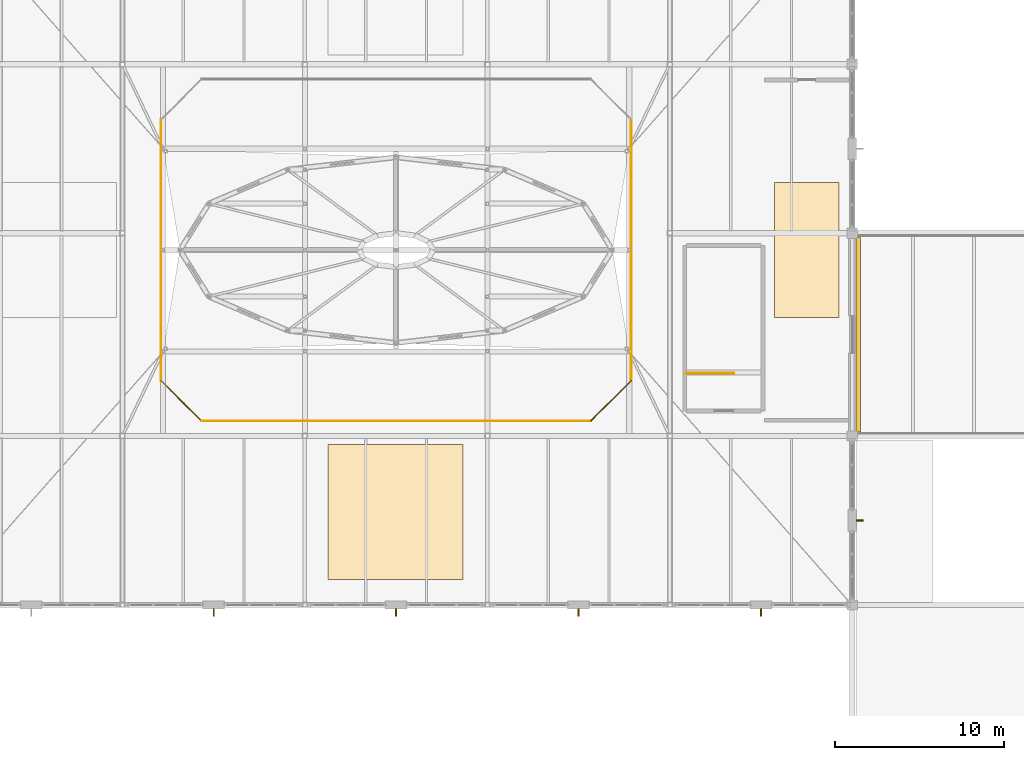
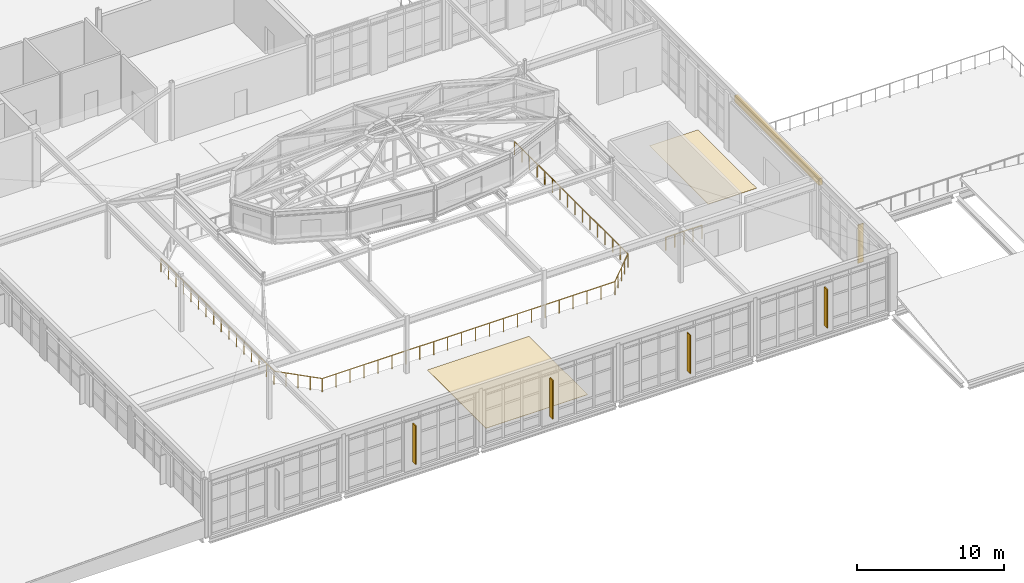
# One storey, part 81 of 86: 6 railings, 5 shading devices, 3 coverings.
"""IFC4 building model written with IfcOpenShell, lengths in metres."""

import ifcopenshell
import ifcopenshell.guid

model = None  # the IFC model being written
_history = None  # IfcOwnerHistory: only IFC2X3 demands one
_inside = {}  # id of a spatial element -> (the spatial element, [elements in it])
_under = {}  # id of a project, library or spatial element -> (it, [spatial elements below it])
_declared = {}  # id of a project -> (the project, [libraries it declares])
_typed = {}  # id of a type object -> (the type object, [elements of that type])
_made_of = {}  # id of a material, layer set ... -> (it, [elements and type objects made of it])


def new_model(schema):
    """Start an empty IFC model of exactly this schema.

    Asked for "IFC4X3", IfcOpenShell would pick the latest addendum, in which some entities
    have other attributes; the version numbers below select the first issue.
    IFC2X3 requires an IfcOwnerHistory on every rooted entity: one is made here for all.
    """
    global model, _history
    if schema == "IFC4X3":
        model = ifcopenshell.file(schema_version=(4, 3, 0, 0))
    else:
        model = ifcopenshell.file(schema=schema)
    _inside.clear()
    _under.clear()
    _declared.clear()
    _typed.clear()
    _made_of.clear()
    _history = None
    if model.schema == "IFC2X3":
        org = make("IfcOrganization", Name="unknown")
        user = make(
            "IfcPersonAndOrganization",
            ThePerson=make("IfcPerson", FamilyName="unknown"),
            TheOrganization=org,
        )
        app = make(
            "IfcApplication",
            ApplicationDeveloper=org,
            Version="unknown",
            ApplicationFullName="unknown",
            ApplicationIdentifier="unknown",
        )
        _history = make(
            "IfcOwnerHistory",
            OwningUser=user,
            OwningApplication=app,
            ChangeAction="ADDED",
            CreationDate=0,
        )
    return model


def make(cls, **values):
    """One entity of the class cls with the attributes given. An attribute that is None is left unset."""
    return model.create_entity(
        cls, **{name: value for name, value in values.items() if value is not None}
    )


def rooted(cls, **values):
    """An entity with a GlobalId (a new one), such as an element, a storey or a relation."""
    return make(cls, GlobalId=ifcopenshell.guid.new(), OwnerHistory=_history, **values)


def si_unit(unit_type, name, prefix=None):
    """IfcSIUnit, for example si_unit("LENGTHUNIT", "METRE", prefix="MILLI")."""
    return make("IfcSIUnit", UnitType=unit_type, Prefix=prefix, Name=name)


def assignment(units):
    """IfcUnitAssignment: the units of a project."""
    return None if units is None else make("IfcUnitAssignment", Units=units)


def point(xyz):
    """IfcCartesianPoint."""
    return None if xyz is None else make("IfcCartesianPoint", Coordinates=xyz)


def direction(xyz):
    """IfcDirection."""
    return None if xyz is None else make("IfcDirection", DirectionRatios=xyz)


def frame(location, z_axis=None, x_axis=None):
    """IfcAxis2Placement3D, a coordinate frame: its origin and axes. An axis left out is left unset."""
    return make(
        "IfcAxis2Placement3D",
        Location=point(location),
        Axis=direction(z_axis),
        RefDirection=direction(x_axis),
    )


def frame_2d(location, x_axis=None):
    """IfcAxis2Placement2D, a coordinate frame in the plane: its origin and x axis."""
    return make(
        "IfcAxis2Placement2D", Location=point(location), RefDirection=direction(x_axis)
    )


def origin():
    """The frame at (0, 0, 0) with its axes left unset."""
    return frame((0.0, 0.0, 0.0))


def origin_2d():
    """The frame at (0, 0) in the plane with its x axis left unset."""
    return frame_2d((0.0, 0.0))


def place(relative_to, where):
    """IfcLocalPlacement: puts the frame where relative to a parent placement (None: the world)."""
    return make(
        "IfcLocalPlacement", PlacementRelTo=relative_to, RelativePlacement=where
    )


def context(
    kind, dimensions, precision=None, world=None, true_north=None, identifier=None
):
    """IfcGeometricRepresentationContext, for example the 3D "Model" context."""
    return make(
        "IfcGeometricRepresentationContext",
        ContextIdentifier=identifier,
        ContextType=kind,
        CoordinateSpaceDimension=dimensions,
        Precision=precision,
        WorldCoordinateSystem=world,
        TrueNorth=true_north,
    )


def subcontext(parent, identifier, kind, view, scale=None):
    """IfcGeometricRepresentationSubContext, for example "Body" below "Model"."""
    return make(
        "IfcGeometricRepresentationSubContext",
        ContextIdentifier=identifier,
        ContextType=kind,
        ParentContext=parent,
        TargetScale=scale,
        TargetView=view,
    )


def project(units=None, contexts=None):
    """IfcProject with its units and contexts."""
    return rooted(
        "IfcProject",
        Name="project",
        RepresentationContexts=contexts,
        UnitsInContext=assignment(units),
    )


def spatial(cls, under=None, at=None, **own):
    """A site, building, storey or space (cls), placed at a placement, below another one or the project."""
    s = rooted(cls, ObjectPlacement=at, **own)
    if under is not None:
        _under.setdefault(under.id(), (under, []))[1].append(s)
    return s


def profile(cls, at=None, kind="AREA", **sizes):
    """A parametric profile (cls). Its sizes go by their IFC names, for example OverallWidth=200.0."""
    return make(cls, ProfileType=kind, Position=at, **sizes)


def rectangle(**sizes):
    """IfcRectangleProfileDef."""
    return profile("IfcRectangleProfileDef", **sizes)


def circle(**sizes):
    """IfcCircleProfileDef."""
    return profile("IfcCircleProfileDef", **sizes)


def extrude(swept, where, along, depth):
    """IfcExtrudedAreaSolid: the profile swept, set in the frame where, extruded along a direction by depth."""
    return make(
        "IfcExtrudedAreaSolid",
        SweptArea=swept,
        Position=where,
        ExtrudedDirection=direction(along),
        Depth=depth,
    )


def shape(context_of_items, identifier, shape_type, items):
    """IfcShapeRepresentation: the items that make up one representation, for example the "Body"."""
    return make(
        "IfcShapeRepresentation",
        ContextOfItems=context_of_items,
        RepresentationIdentifier=identifier,
        RepresentationType=shape_type,
        Items=items,
    )


def material(Name=None, Category=None):
    """IfcMaterial."""
    return make("IfcMaterial", Name=Name, Category=Category)


def layer(
    of_material, thickness, ventilated=None, Name=None, Category=None, Priority=None
):
    """IfcMaterialLayer: one layer of a wall or slab, of a material (None: an air gap)."""
    return make(
        "IfcMaterialLayer",
        Material=of_material,
        LayerThickness=thickness,
        IsVentilated=ventilated,
        Name=Name,
        Category=Category,
        Priority=Priority,
    )


def layer_set(layers, Name=None):
    """IfcMaterialLayerSet."""
    return make("IfcMaterialLayerSet", MaterialLayers=layers, LayerSetName=Name)


def made_of(thing, what):
    """Note that an element or type object is made of a material, layer set ...; save() writes the relation."""
    if what is not None:
        _made_of.setdefault(what.id(), (what, []))[1].append(thing)
    return thing


def type_object(cls, material=None, **own):
    """A type object (cls), such as IfcWallType, which elements share."""
    return made_of(rooted(cls, **own), material)


def element(
    cls,
    number,
    at=None,
    inside=None,
    cuts=None,
    type_object=None,
    material=None,
    context=None,
    identifier="Body",
    shape_type=None,
    held_by="IfcProductDefinitionShape",
    body=None,
    shapes=None,
    **own,
):
    """One element of the class cls, such as IfcWall. Its Tag is "e" and its number.

    at: its placement. inside: the storey or other place that contains it. cuts: it is an
    opening in that element (IfcRelVoidsElement). A single representation is given by context,
    identifier, shape_type and body (its items); several are given by shapes. held_by: the class
    of the entity that holds the representations. save() writes the other relations.
    """
    e = rooted(cls, Tag="e%d" % number, ObjectPlacement=at, **own)
    if body is not None:
        shapes = [shape(context, identifier, shape_type, body)]
    if shapes is not None:
        e.Representation = make(held_by, Representations=shapes)
    if inside is not None:
        _inside.setdefault(inside.id(), (inside, []))[1].append(e)
    if cuts is not None:
        rooted(
            "IfcRelVoidsElement", RelatingBuildingElement=cuts, RelatedOpeningElement=e
        )
    if type_object is not None:
        _typed.setdefault(type_object.id(), (type_object, []))[1].append(e)
    return made_of(e, material)


def aggregate(whole, parts):
    """IfcRelAggregates: a whole, such as a stair, and the parts it consists of."""
    return rooted("IfcRelAggregates", RelatingObject=whole, RelatedObjects=parts)


def save(model, path):
    """Write the relations noted so far, then the file.

    IfcRelAggregates (storeys below a building ...), IfcRelContainedInSpatialStructure (elements
    in a storey), IfcRelDefinesByType, IfcRelAssociatesMaterial and IfcRelDeclares: one each for
    every whole, place, type object, material and project.
    """
    for whole, parts in _under.values():
        aggregate(whole, parts)
    for where, things in _inside.values():
        rooted(
            "IfcRelContainedInSpatialStructure",
            RelatedElements=things,
            RelatingStructure=where,
        )
    for kind, things in _typed.values():
        rooted("IfcRelDefinesByType", RelatedObjects=things, RelatingType=kind)
    for what, things in _made_of.values():
        rooted("IfcRelAssociatesMaterial", RelatedObjects=things, RelatingMaterial=what)
    for by, libraries in _declared.values():
        rooted("IfcRelDeclares", RelatingContext=by, RelatedDefinitions=libraries)
    model.write(path)


model = new_model("IFC4")

# Units and contexts
model_context = context("Model", 3, precision=1e-05, world=origin(), true_north=direction((0.0, 1.0)))
body_context = subcontext(model_context, "Body", "Model", "MODEL_VIEW")
ifc_project = project(units=[si_unit("LENGTHUNIT", "METRE"), si_unit("AREAUNIT", "SQUARE_METRE"), si_unit("VOLUMEUNIT", "CUBIC_METRE"), si_unit("PLANEANGLEUNIT", "RADIAN"), si_unit("MASSUNIT", "GRAM", prefix="KILO")], contexts=[model_context])

# Site, building, storey
site_placement = place(None, origin())
site = spatial("IfcSite", under=ifc_project, at=site_placement, CompositionType="ELEMENT")
building_placement = place(site_placement, origin())
building = spatial("IfcBuilding", under=site, at=building_placement, Name="Tasgan Crest Museum", CompositionType="ELEMENT")
storey_placement = place(building_placement, frame((0.0, 0.0, 24.0)))
storey = spatial("IfcBuildingStorey", under=building, at=storey_placement, Name="L04", CompositionType="ELEMENT", Elevation=24.0)

# Coverings
ifc_material_1 = material(Name="Polished Granite Terrazzo", Category="masonry")
ifc_layer_1 = layer(ifc_material_1, 0.030029296875, Name="COV-FLOOR-TERRAZZO")
ifc_layer_set_1 = layer_set([ifc_layer_1], Name="Polished Granite Terrazzo")
covering_type_1 = type_object("IfcCoveringType", Name="COV-FLOOR-TERRAZZO", PredefinedType="FLOORING", material=ifc_layer_set_1)
covering_1_placement = place(storey_placement, frame((80.9599609375, 45.5, 0.0), z_axis=(0.0, 0.0, 1.0), x_axis=(1.0, 0.0, 0.0)))
element("IfcCovering", 1, at=covering_1_placement, inside=storey, type_object=covering_type_1, Name="Lantern South Panorama Concourse floor finish", PredefinedType="FLOORING", context=body_context, shape_type="SweptSolid", body=[
    extrude(rectangle(XDim=8.0, YDim=8.0, at=origin_2d()), origin(), (0.0, 0.0, 1.0), 0.030029296875),
])
covering_2_placement = place(storey_placement, frame((105.300048828125, 61.0, 0.0), z_axis=(0.0, 0.0, 1.0), x_axis=(1.0, 0.0, 0.0)))
element("IfcCovering", 2, at=covering_2_placement, inside=storey, type_object=covering_type_1, Name="East Steppe Terrace Pavilion floor finish", PredefinedType="FLOORING", context=body_context, shape_type="SweptSolid", body=[
    extrude(rectangle(XDim=3.800048828125, YDim=8.0, at=origin_2d()), origin(), (0.0, 0.0, 1.0), 0.030029296875),
])
ifc_material_2 = material(Name="Honed Buff Limestone", Category="masonry")
ifc_layer_2 = layer(ifc_material_2, 0.044921875, Name="COV-LIMESTONE-BUFF")
ifc_layer_set_2 = layer_set([ifc_layer_2], Name="Honed Buff Limestone")
covering_type_2 = type_object("IfcCoveringType", Name="COV-LIMESTONE-BUFF", PredefinedType="CLADDING", material=ifc_layer_set_2)
covering_3_placement = place(storey_placement, frame((108.35009765625, 56.0, 3.9599609375), z_axis=(0.0, 0.0, 1.0), x_axis=(0.0, 1.0, 0.0)))
element("IfcCovering", 3, at=covering_3_placement, inside=storey, type_object=covering_type_2, Name="Stone frieze cladding L04", PredefinedType="CLADDING", context=body_context, shape_type="SweptSolid", body=[
    extrude(rectangle(XDim=11.510009765625, YDim=0.280029296875, at=origin_2d()), origin(), (0.0, 0.0, 1.0), 0.550048828125),
])

# Railings
ifc_material_3 = material(Name="Brushed Bronze and Toughened Glass", Category="glass")
railing_type = type_object("IfcRailingType", Name="RL-INT-GUARD-1120", PredefinedType="GUARDRAIL", material=ifc_material_3)
railing_1_placement = place(storey_placement, frame((98.159912109375, 53.719970703125, 0.0)))
element("IfcRailing", 4, at=railing_1_placement, inside=storey, type_object=railing_type, Name="ATRIUM top arrival guard L04", PredefinedType="GUARDRAIL", context=body_context, shape_type="SweptSolid", body=[
    extrude(circle(Radius=0.02392578125, at=origin_2d()), frame((0.0, 0.0, 1.09619140625), z_axis=(1.0, 0.0, 0.0), x_axis=(0.0, 1.0, 0.0)), (0.0, 0.0, 1.0), 2.840087890625),
    extrude(circle(Radius=0.02099609375, at=origin_2d()), origin(), (0.0, 0.0, 1.0), 1.072021484375),
    extrude(circle(Radius=0.02099609375, at=origin_2d()), frame((0.7099609375, 0.0, 0.0)), (0.0, 0.0, 1.0), 1.072021484375),
    extrude(circle(Radius=0.02099609375, at=origin_2d()), frame((1.419921875, 0.0, 0.0)), (0.0, 0.0, 1.0), 1.072021484375),
    extrude(circle(Radius=0.02099609375, at=origin_2d()), frame((2.130126953125, 0.0, 0.0)), (0.0, 0.0, 1.0), 1.072021484375),
    extrude(circle(Radius=0.02099609375, at=origin_2d()), frame((2.840087890625, 0.0, 0.0)), (0.0, 0.0, 1.0), 1.072021484375),
])
railing_2_placement = place(storey_placement, frame((69.47998046875, 50.8798828125, 0.0)))
element("IfcRailing", 5, at=railing_2_placement, inside=storey, type_object=railing_type, Name="Atrium void guard L04 0", PredefinedType="GUARDRAIL", context=body_context, shape_type="SweptSolid", body=[
    extrude(circle(Radius=0.02392578125, at=origin_2d()), frame((0.0, 0.0, 1.09619140625), z_axis=(1.0, 0.0, 0.0), x_axis=(0.0, 1.0, 0.0)), (0.0, 0.0, 1.0), 23.0400390625),
    extrude(circle(Radius=0.02099609375, at=origin_2d()), origin(), (0.0, 0.0, 1.0), 1.072021484375),
    extrude(circle(Radius=0.02099609375, at=origin_2d()), frame((1.09716796875, 0.0, 0.0)), (0.0, 0.0, 1.0), 1.072021484375),
    extrude(circle(Radius=0.02099609375, at=origin_2d()), frame((2.1943359375, 0.0, 0.0)), (0.0, 0.0, 1.0), 1.072021484375),
    extrude(circle(Radius=0.02099609375, at=origin_2d()), frame((3.29150390625, 0.0, 0.0)), (0.0, 0.0, 1.0), 1.072021484375),
    extrude(circle(Radius=0.02099609375, at=origin_2d()), frame((4.388671875, 0.0, 0.0)), (0.0, 0.0, 1.0), 1.072021484375),
    extrude(circle(Radius=0.02099609375, at=origin_2d()), frame((5.48583984375, 0.0, 0.0)), (0.0, 0.0, 1.0), 1.072021484375),
    extrude(circle(Radius=0.02099609375, at=origin_2d()), frame((6.582763671875, 0.0, 0.0)), (0.0, 0.0, 1.0), 1.072021484375),
    extrude(circle(Radius=0.02099609375, at=origin_2d()), frame((7.679931640625, 0.0, 0.0)), (0.0, 0.0, 1.0), 1.072021484375),
    extrude(circle(Radius=0.02099609375, at=origin_2d()), frame((8.777099609375, 0.0, 0.0)), (0.0, 0.0, 1.0), 1.072021484375),
    extrude(circle(Radius=0.02099609375, at=origin_2d()), frame((9.874267578125, 0.0, 0.0)), (0.0, 0.0, 1.0), 1.072021484375),
    extrude(circle(Radius=0.02099609375, at=origin_2d()), frame((10.971435546875, 0.0, 0.0)), (0.0, 0.0, 1.0), 1.072021484375),
    extrude(circle(Radius=0.02099609375, at=origin_2d()), frame((12.068603515625, 0.0, 0.0)), (0.0, 0.0, 1.0), 1.072021484375),
    extrude(circle(Radius=0.02099609375, at=origin_2d()), frame((13.165771484375, 0.0, 0.0)), (0.0, 0.0, 1.0), 1.072021484375),
    extrude(circle(Radius=0.02099609375, at=origin_2d()), frame((14.262939453125, 0.0, 0.0)), (0.0, 0.0, 1.0), 1.072021484375),
    extrude(circle(Radius=0.02099609375, at=origin_2d()), frame((15.360107421875, 0.0, 0.0)), (0.0, 0.0, 1.0), 1.072021484375),
    extrude(circle(Radius=0.02099609375, at=origin_2d()), frame((16.457275390625, 0.0, 0.0)), (0.0, 0.0, 1.0), 1.072021484375),
    extrude(circle(Radius=0.02099609375, at=origin_2d()), frame((17.55419921875, 0.0, 0.0)), (0.0, 0.0, 1.0), 1.072021484375),
    extrude(circle(Radius=0.02099609375, at=origin_2d()), frame((18.6513671875, 0.0, 0.0)), (0.0, 0.0, 1.0), 1.072021484375),
    extrude(circle(Radius=0.02099609375, at=origin_2d()), frame((19.74853515625, 0.0, 0.0)), (0.0, 0.0, 1.0), 1.072021484375),
    extrude(circle(Radius=0.02099609375, at=origin_2d()), frame((20.845703125, 0.0, 0.0)), (0.0, 0.0, 1.0), 1.072021484375),
    extrude(circle(Radius=0.02099609375, at=origin_2d()), frame((21.94287109375, 0.0, 0.0)), (0.0, 0.0, 1.0), 1.072021484375),
    extrude(circle(Radius=0.02099609375, at=origin_2d()), frame((23.0400390625, 0.0, 0.0)), (0.0, 0.0, 1.0), 1.072021484375),
])
railing_3_placement = place(storey_placement, frame((92.52001953125, 50.8798828125, 0.0)))
element("IfcRailing", 6, at=railing_3_placement, inside=storey, type_object=railing_type, Name="Atrium void guard L04 1", PredefinedType="GUARDRAIL", context=body_context, shape_type="SweptSolid", body=[
    extrude(circle(Radius=0.02392578125, at=origin_2d()), frame((0.0, 0.0, 1.09619140625), z_axis=(0.707070815327, 0.707142745217, 0.0), x_axis=(-0.707142745217, 0.707070815327, 0.0)), (0.0, 0.0, 1.0), 3.39404296875),
    extrude(circle(Radius=0.02099609375, at=origin_2d()), origin(), (0.0, 0.0, 1.0), 1.072021484375),
    extrude(circle(Radius=0.02099609375, at=origin_2d()), frame((0.60009765625, 0.60009765625, 0.0)), (0.0, 0.0, 1.0), 1.072021484375),
    extrude(circle(Radius=0.02099609375, at=origin_2d()), frame((1.199951171875, 1.2001953125, 0.0)), (0.0, 0.0, 1.0), 1.072021484375),
    extrude(circle(Radius=0.02099609375, at=origin_2d()), frame((1.7998046875, 1.800048828125, 0.0)), (0.0, 0.0, 1.0), 1.072021484375),
    extrude(circle(Radius=0.02099609375, at=origin_2d()), frame((2.39990234375, 2.400146484375, 0.0)), (0.0, 0.0, 1.0), 1.072021484375),
])
railing_4_placement = place(storey_placement, frame((94.919921875, 53.280029296875, 0.0)))
element("IfcRailing", 7, at=railing_4_placement, inside=storey, type_object=railing_type, Name="Atrium void guard L04 2", PredefinedType="GUARDRAIL", context=body_context, shape_type="SweptSolid", body=[
    extrude(circle(Radius=0.02392578125, at=origin_2d()), frame((0.0, 0.0, 1.09619140625), z_axis=(0.0, 1.0, 0.0), x_axis=(-1.0, 0.0, 0.0)), (0.0, 0.0, 1.0), 15.43994140625),
    extrude(circle(Radius=0.02099609375, at=origin_2d()), origin(), (0.0, 0.0, 1.0), 1.072021484375),
    extrude(circle(Radius=0.02099609375, at=origin_2d()), frame((0.0, 1.029296875, 0.0)), (0.0, 0.0, 1.0), 1.072021484375),
    extrude(circle(Radius=0.02099609375, at=origin_2d()), frame((0.0, 2.05859375, 0.0)), (0.0, 0.0, 1.0), 1.072021484375),
    extrude(circle(Radius=0.02099609375, at=origin_2d()), frame((0.0, 3.087890625, 0.0)), (0.0, 0.0, 1.0), 1.072021484375),
    extrude(circle(Radius=0.02099609375, at=origin_2d()), frame((0.0, 4.117431640625, 0.0)), (0.0, 0.0, 1.0), 1.072021484375),
    extrude(circle(Radius=0.02099609375, at=origin_2d()), frame((0.0, 5.146728515625, 0.0)), (0.0, 0.0, 1.0), 1.072021484375),
    extrude(circle(Radius=0.02099609375, at=origin_2d()), frame((0.0, 6.176025390625, 0.0)), (0.0, 0.0, 1.0), 1.072021484375),
    extrude(circle(Radius=0.02099609375, at=origin_2d()), frame((0.0, 7.205322265625, 0.0)), (0.0, 0.0, 1.0), 1.072021484375),
    extrude(circle(Radius=0.02099609375, at=origin_2d()), frame((0.0, 8.234619140625, 0.0)), (0.0, 0.0, 1.0), 1.072021484375),
    extrude(circle(Radius=0.02099609375, at=origin_2d()), frame((0.0, 9.263916015625, 0.0)), (0.0, 0.0, 1.0), 1.072021484375),
    extrude(circle(Radius=0.02099609375, at=origin_2d()), frame((0.0, 10.293212890625, 0.0)), (0.0, 0.0, 1.0), 1.072021484375),
    extrude(circle(Radius=0.02099609375, at=origin_2d()), frame((0.0, 11.322509765625, 0.0)), (0.0, 0.0, 1.0), 1.072021484375),
    extrude(circle(Radius=0.02099609375, at=origin_2d()), frame((0.0, 12.35205078125, 0.0)), (0.0, 0.0, 1.0), 1.072021484375),
    extrude(circle(Radius=0.02099609375, at=origin_2d()), frame((0.0, 13.38134765625, 0.0)), (0.0, 0.0, 1.0), 1.072021484375),
    extrude(circle(Radius=0.02099609375, at=origin_2d()), frame((0.0, 14.41064453125, 0.0)), (0.0, 0.0, 1.0), 1.072021484375),
    extrude(circle(Radius=0.02099609375, at=origin_2d()), frame((0.0, 15.43994140625, 0.0)), (0.0, 0.0, 1.0), 1.072021484375),
])
railing_5_placement = place(storey_placement, frame((67.080078125, 68.719970703125, 0.0)))
element("IfcRailing", 8, at=railing_5_placement, inside=storey, type_object=railing_type, Name="Atrium void guard L04 6", PredefinedType="GUARDRAIL", context=body_context, shape_type="SweptSolid", body=[
    extrude(circle(Radius=0.02392578125, at=origin_2d()), frame((0.0, 0.0, 1.09619140625), z_axis=(0.0, -1.0, 0.0), x_axis=(1.0, 0.0, 0.0)), (0.0, 0.0, 1.0), 15.43994140625),
    extrude(circle(Radius=0.02099609375, at=origin_2d()), origin(), (0.0, 0.0, 1.0), 1.072021484375),
    extrude(circle(Radius=0.02099609375, at=origin_2d()), frame((0.0, -1.029296875, 0.0)), (0.0, 0.0, 1.0), 1.072021484375),
    extrude(circle(Radius=0.02099609375, at=origin_2d()), frame((0.0, -2.05859375, 0.0)), (0.0, 0.0, 1.0), 1.072021484375),
    extrude(circle(Radius=0.02099609375, at=origin_2d()), frame((0.0, -3.087890625, 0.0)), (0.0, 0.0, 1.0), 1.072021484375),
    extrude(circle(Radius=0.02099609375, at=origin_2d()), frame((0.0, -4.117431640625, 0.0)), (0.0, 0.0, 1.0), 1.072021484375),
    extrude(circle(Radius=0.02099609375, at=origin_2d()), frame((0.0, -5.146728515625, 0.0)), (0.0, 0.0, 1.0), 1.072021484375),
    extrude(circle(Radius=0.02099609375, at=origin_2d()), frame((0.0, -6.176025390625, 0.0)), (0.0, 0.0, 1.0), 1.072021484375),
    extrude(circle(Radius=0.02099609375, at=origin_2d()), frame((0.0, -7.205322265625, 0.0)), (0.0, 0.0, 1.0), 1.072021484375),
    extrude(circle(Radius=0.02099609375, at=origin_2d()), frame((0.0, -8.234619140625, 0.0)), (0.0, 0.0, 1.0), 1.072021484375),
    extrude(circle(Radius=0.02099609375, at=origin_2d()), frame((0.0, -9.263916015625, 0.0)), (0.0, 0.0, 1.0), 1.072021484375),
    extrude(circle(Radius=0.02099609375, at=origin_2d()), frame((0.0, -10.293212890625, 0.0)), (0.0, 0.0, 1.0), 1.072021484375),
    extrude(circle(Radius=0.02099609375, at=origin_2d()), frame((0.0, -11.322509765625, 0.0)), (0.0, 0.0, 1.0), 1.072021484375),
    extrude(circle(Radius=0.02099609375, at=origin_2d()), frame((0.0, -12.35205078125, 0.0)), (0.0, 0.0, 1.0), 1.072021484375),
    extrude(circle(Radius=0.02099609375, at=origin_2d()), frame((0.0, -13.38134765625, 0.0)), (0.0, 0.0, 1.0), 1.072021484375),
    extrude(circle(Radius=0.02099609375, at=origin_2d()), frame((0.0, -14.41064453125, 0.0)), (0.0, 0.0, 1.0), 1.072021484375),
    extrude(circle(Radius=0.02099609375, at=origin_2d()), frame((0.0, -15.43994140625, 0.0)), (0.0, 0.0, 1.0), 1.072021484375),
])
railing_6_placement = place(storey_placement, frame((67.080078125, 53.280029296875, 0.0)))
element("IfcRailing", 9, at=railing_6_placement, inside=storey, type_object=railing_type, Name="Atrium void guard L04 7", PredefinedType="GUARDRAIL", context=body_context, shape_type="SweptSolid", body=[
    extrude(circle(Radius=0.02392578125, at=origin_2d()), frame((0.0, 0.0, 1.09619140625), z_axis=(0.707070815327, -0.707142745217, 0.0), x_axis=(0.707142745217, 0.707070815327, 0.0)), (0.0, 0.0, 1.0), 3.39404296875),
    extrude(circle(Radius=0.02099609375, at=origin_2d()), origin(), (0.0, 0.0, 1.0), 1.072021484375),
    extrude(circle(Radius=0.02099609375, at=origin_2d()), frame((0.60009765625, -0.60009765625, 0.0)), (0.0, 0.0, 1.0), 1.072021484375),
    extrude(circle(Radius=0.02099609375, at=origin_2d()), frame((1.199951171875, -1.2001953125, 0.0)), (0.0, 0.0, 1.0), 1.072021484375),
    extrude(circle(Radius=0.02099609375, at=origin_2d()), frame((1.7998046875, -1.800048828125, 0.0)), (0.0, 0.0, 1.0), 1.072021484375),
    extrude(circle(Radius=0.02099609375, at=origin_2d()), frame((2.39990234375, -2.400146484375, 0.0)), (0.0, 0.0, 1.0), 1.072021484375),
])

# Shading devices
ifc_material_4 = material(Name="Anodised Bronze Aluminium", Category="aluminium")
shading_device_type = type_object("IfcShadingDeviceType", Name="SH-FIN-V400", PredefinedType="JALOUSIE", material=ifc_material_4)
for number, where, z_axis, x_axis, name in (
    (10, (70.199951171875, 39.550048828125, 0.68017578125), (0.0, 0.0, 1.0), (1.0, 0.0, 0.0), "Facade pier solar fin L04"),
    (11, (81.0, 39.550048828125, 0.68017578125), (0.0, 0.0, 1.0), (1.0, 0.0, 0.0), "Facade pier solar fin L04"),
    (12, (91.800048828125, 39.550048828125, 0.68017578125), (0.0, 0.0, 1.0), (1.0, 0.0, 0.0), "Facade pier solar fin L04"),
    (13, (102.60009765625, 39.550048828125, 0.68017578125), (0.0, 0.0, 1.0), (1.0, 0.0, 0.0), "Facade pier solar fin L04"),
    (14, (108.449951171875, 45.0, 0.68017578125), (0.0, 0.0, 1.0), (0.0, 1.0, 0.0), "Facade pier solar fin L04"),
):
    element("IfcShadingDevice", number, at=place(storey_placement, frame(where, z_axis=z_axis, x_axis=x_axis)), inside=storey, type_object=shading_device_type, Name=name, PredefinedType="JALOUSIE", context=body_context, shape_type="SweptSolid", body=[
        extrude(rectangle(XDim=0.080078125, YDim=0.419921875, at=origin_2d()), origin(), (0.0, 0.0, 1.0), 3.199951171875),
    ])

save(model, "model.ifc")
